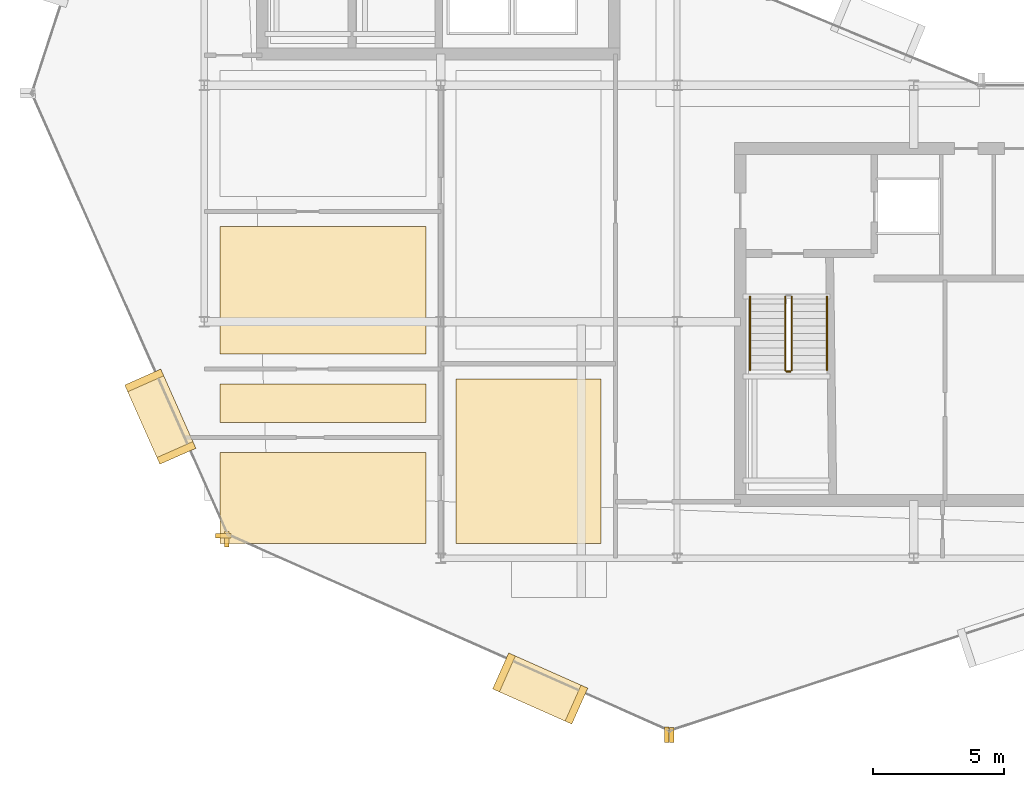
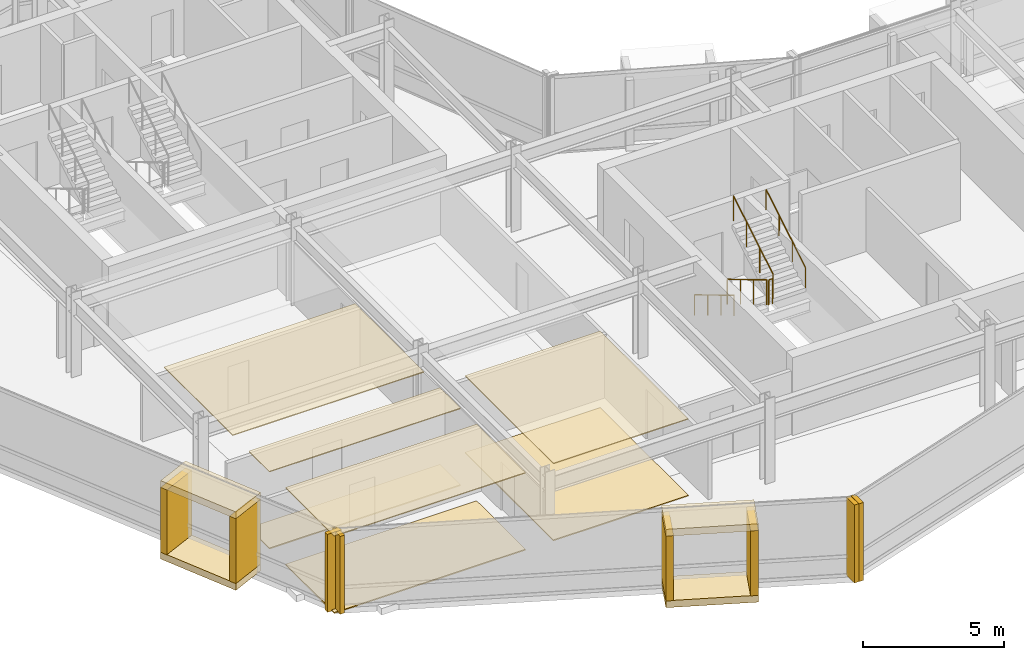
# One storey, part 22 of 27: 19 coverings, 5 railings.
"""IFC4 building model written with IfcOpenShell, lengths in metres."""

from ifc_helpers import new_model, si_unit, direction, frame, origin, origin_2d, place, context, subcontext, project, spatial, polyline, rectangle, circle, outline, extrude, material, layer, layer_set, type_object, element, save


model = new_model("IFC4")

# Units and contexts
model_context = context("Model", 3, precision=1e-05, world=origin(), true_north=direction((0.0, 1.0)))
body_context = subcontext(model_context, "Body", "Model", "MODEL_VIEW")
ifc_project = project(units=[si_unit("LENGTHUNIT", "METRE"), si_unit("AREAUNIT", "SQUARE_METRE"), si_unit("VOLUMEUNIT", "CUBIC_METRE"), si_unit("PLANEANGLEUNIT", "RADIAN"), si_unit("MASSUNIT", "GRAM", prefix="KILO")], contexts=[model_context])

# Site, building, storey
site_placement = place(None, origin())
site = spatial("IfcSite", under=ifc_project, at=site_placement, CompositionType="ELEMENT")
building_placement = place(site_placement, origin())
building = spatial("IfcBuilding", under=site, at=building_placement, Name="Solvaryn Broadcast Tower", CompositionType="ELEMENT")
storey_placement = place(building_placement, frame((0.0, 0.0, 232.10009765625)))
storey = spatial("IfcBuildingStorey", under=building, at=storey_placement, Name="L58", CompositionType="ELEMENT", Elevation=232.10009765625)

# Coverings
ifc_material_1 = material(Name="Micro-Perforated Acoustic Gypsum Ceiling", Category="concrete")
ifc_layer_1 = layer(ifc_material_1, 0.0400390625)
ifc_layer_set_1 = layer_set([ifc_layer_1], Name="CV-CEIL-ACOUSTIC")
covering_type_1 = type_object("IfcCoveringType", Name="CV-CEIL-ACOUSTIC", PredefinedType="CEILING", material=ifc_layer_set_1)
covering_1_placement = place(storey_placement, frame((0.0, 0.0, 3.329833984375)))
element("IfcCovering", 1, at=covering_1_placement, inside=storey, type_object=covering_type_1, Name="L58 Room Acoustic Ceiling 1", PredefinedType="CEILING", context=body_context, shape_type="SweptSolid", body=[
    extrude(outline(polyline([(18.570068359375, 9.570068359375), (24.10009765625, 9.570068359375), (24.10009765625, 15.830078125), (18.570068359375, 15.830078125), (18.570068359375, 9.570068359375)])), origin(), (0.0, 0.0, 1.0), 0.0400390625),
])
covering_2_placement = place(storey_placement, frame((0.0, 0.0, 3.329833984375)))
element("IfcCovering", 2, at=covering_2_placement, inside=storey, type_object=covering_type_1, Name="L58 Room Acoustic Ceiling 3", PredefinedType="CEILING", context=body_context, shape_type="SweptSolid", body=[
    extrude(outline(polyline([(9.60009765625, 9.570068359375), (17.429931640625, 9.570068359375), (17.429931640625, 13.030029296875), (9.60009765625, 13.030029296875), (9.60009765625, 9.570068359375)])), origin(), (0.0, 0.0, 1.0), 0.0400390625),
])
covering_3_placement = place(storey_placement, frame((0.0, 0.0, 3.329833984375)))
element("IfcCovering", 3, at=covering_3_placement, inside=storey, type_object=covering_type_1, Name="L58 Room Acoustic Ceiling 4", PredefinedType="CEILING", context=body_context, shape_type="SweptSolid", body=[
    extrude(outline(polyline([(9.60009765625, 14.169921875), (17.429931640625, 14.169921875), (17.429931640625, 15.6298828125), (9.60009765625, 15.6298828125), (9.60009765625, 14.169921875)])), origin(), (0.0, 0.0, 1.0), 0.0400390625),
])
covering_4_placement = place(storey_placement, frame((0.0, 0.0, 3.329833984375)))
element("IfcCovering", 4, at=covering_4_placement, inside=storey, type_object=covering_type_1, Name="L58 Room Acoustic Ceiling 5", PredefinedType="CEILING", context=body_context, shape_type="SweptSolid", body=[
    extrude(outline(polyline([(9.60009765625, 16.77001953125), (17.429931640625, 16.77001953125), (17.429931640625, 21.6298828125), (9.60009765625, 21.6298828125), (9.60009765625, 16.77001953125)])), origin(), (0.0, 0.0, 1.0), 0.0400390625),
])
ifc_material_2 = material(Name="Newsroom Raised Data Access Flooring", Category="steel")
ifc_layer_2 = layer(ifc_material_2, 0.050048828125)
ifc_layer_set_2 = layer_set([ifc_layer_2], Name="CV-FLOOR-RAISED")
covering_type_2 = type_object("IfcCoveringType", Name="CV-FLOOR-RAISED", PredefinedType="FLOORING", material=ifc_layer_set_2)
covering_5_placement = place(storey_placement, origin())
element("IfcCovering", 5, at=covering_5_placement, inside=storey, type_object=covering_type_2, Name="L58 Room Acoustic Floor Finish 1", PredefinedType="FLOORING", context=body_context, shape_type="SweptSolid", body=[
    extrude(outline(polyline([(18.570068359375, 9.570068359375), (24.10009765625, 9.570068359375), (24.10009765625, 15.830078125), (18.570068359375, 15.830078125), (18.570068359375, 9.570068359375)])), origin(), (0.0, 0.0, 1.0), 0.0498046875),
])
covering_6_placement = place(storey_placement, origin())
element("IfcCovering", 6, at=covering_6_placement, inside=storey, type_object=covering_type_2, Name="L58 Room Acoustic Floor Finish 3", PredefinedType="FLOORING", context=body_context, shape_type="SweptSolid", body=[
    extrude(outline(polyline([(9.60009765625, 9.570068359375), (17.429931640625, 9.570068359375), (17.429931640625, 13.030029296875), (9.60009765625, 13.030029296875), (9.60009765625, 9.570068359375)])), origin(), (0.0, 0.0, 1.0), 0.0498046875),
])
covering_7_placement = place(storey_placement, origin())
element("IfcCovering", 7, at=covering_7_placement, inside=storey, type_object=covering_type_2, Name="L58 Room Acoustic Floor Finish 4", PredefinedType="FLOORING", context=body_context, shape_type="SweptSolid", body=[
    extrude(outline(polyline([(9.60009765625, 14.169921875), (17.429931640625, 14.169921875), (17.429931640625, 15.6298828125), (9.60009765625, 15.6298828125), (9.60009765625, 14.169921875)])), origin(), (0.0, 0.0, 1.0), 0.0498046875),
])
ifc_material_3 = material(Name="Glazed Architectural Terracotta Rainscreen Cladding", Category="masonry")
ifc_layer_3 = layer(ifc_material_3, 0.280029296875)
ifc_layer_set_3 = layer_set([ifc_layer_3], Name="CV-TC-CLAD")
covering_type_3 = type_object("IfcCoveringType", Name="CV-TC-CLAD", PredefinedType="CLADDING", material=ifc_layer_set_3)
for number, where, z_axis, x_axis, name in (
    (8, (7.322998046875, 14.388916015625, 3.080078125), (0.0, 0.0, 1.0), (0.405939269498, -0.913900054426, 0.0), "L58 Projecting Stone Window Box Hood 2"),
    (9, (7.322998046875, 14.388916015625, -0.01025390625), (0.0, 0.0, 1.0), (0.405939269498, -0.913900054426, 0.0), "L58 Projecting Stone Window Box Sill 2"),
):
    element("IfcCovering", number, at=place(storey_placement, frame(where, z_axis=z_axis, x_axis=x_axis)), inside=storey, type_object=covering_type_3, Name=name, PredefinedType="CLADDING", context=body_context, shape_type="SweptSolid", body=[
        extrude(rectangle(XDim=3.300048828125, YDim=1.5, at=origin_2d()), origin(), (0.0, 0.0, 1.0), 0.300048828125),
    ])
for number, where, z_axis, x_axis, name in (
    (10, (6.7099609375, 15.76904296875, 0.27978515625), (0.0, 0.0, 1.0), (0.405939269498, -0.913900054426, 0.0), "L58 Projecting Stone Window Box Cheek 2-1"),
    (11, (7.93603515625, 13.009033203125, 0.27978515625), (0.0, 0.0, 1.0), (0.405939269498, -0.913900054426, 0.0), "L58 Projecting Stone Window Box Cheek 2-2"),
):
    element("IfcCovering", number, at=place(storey_placement, frame(where, z_axis=z_axis, x_axis=x_axis)), inside=storey, type_object=covering_type_3, Name=name, PredefinedType="CLADDING", context=body_context, shape_type="SweptSolid", body=[
        extrude(rectangle(XDim=0.280029296875, YDim=1.5, at=origin_2d()), origin(), (0.0, 0.0, 1.0), 2.81005859375),
    ])
for number, where, z_axis, x_axis, name in (
    (12, (21.784912109375, 4.0390625, 3.080078125), (0.0, 0.0, 1.0), (0.913900054426, -0.405939269498, 0.0), "L58 Projecting Stone Window Box Hood 3"),
    (13, (21.784912109375, 4.0390625, -0.01025390625), (0.0, 0.0, 1.0), (0.913900054426, -0.405939269498, 0.0), "L58 Projecting Stone Window Box Sill 3"),
):
    element("IfcCovering", number, at=place(storey_placement, frame(where, z_axis=z_axis, x_axis=x_axis)), inside=storey, type_object=covering_type_3, Name=name, PredefinedType="CLADDING", context=body_context, shape_type="SweptSolid", body=[
        extrude(rectangle(XDim=3.300048828125, YDim=1.5, at=origin_2d()), origin(), (0.0, 0.0, 1.0), 0.300048828125),
    ])
for number, where, z_axis, x_axis, name in (
    (14, (20.405029296875, 4.652099609375, 0.27978515625), (0.0, 0.0, 1.0), (0.913900054426, -0.405939269498, 0.0), "L58 Projecting Stone Window Box Cheek 3-1"),
    (15, (23.1650390625, 3.426025390625, 0.27978515625), (0.0, 0.0, 1.0), (0.913900054426, -0.405939269498, 0.0), "L58 Projecting Stone Window Box Cheek 3-2"),
):
    element("IfcCovering", number, at=place(storey_placement, frame(where, z_axis=z_axis, x_axis=x_axis)), inside=storey, type_object=covering_type_3, Name=name, PredefinedType="CLADDING", context=body_context, shape_type="SweptSolid", body=[
        extrude(rectangle(XDim=0.280029296875, YDim=1.5, at=origin_2d()), origin(), (0.0, 0.0, 1.0), 2.81005859375),
    ])
ifc_material_4 = material(Name="Extruded Architectural Terracotta Fin", Category="masonry")
ifc_layer_4 = layer(ifc_material_4, 0.179931640625)
ifc_layer_set_4 = layer_set([ifc_layer_4], Name="CV-TC-FIN")
covering_type_4 = type_object("IfcCoveringType", Name="CV-TC-FIN", PredefinedType="USERDEFINED", material=ifc_layer_set_4)
covering_8_placement = place(storey_placement, frame((9.7216796875, 9.852783203125, -0.000244140625), z_axis=(0.0, 0.0, 1.0), x_axis=(1.0, 0.0, 0.0)))
element("IfcCovering", 16, at=covering_8_placement, inside=storey, type_object=covering_type_4, Name="L58 Terracotta Vertical Fin FIN-L58-DR2-M01", ObjectType="FIN", PredefinedType="USERDEFINED", context=body_context, shape_type="SweptSolid", body=[
    extrude(rectangle(XDim=0.580078125, YDim=0.179931640625, at=origin_2d()), origin(), (0.0, 0.0, 1.0), 3.3701171875),
])
for number, where, z_axis, x_axis, name in (
    (17, (9.852783203125, 9.7216796875, -0.000244140625), (0.0, 0.0, 1.0), (1.0, 0.0, 0.0), "L58 Terracotta Vertical Fin FIN-L58-DR3-M00"),
    (18, (26.605712890625, 2.281005859375, -0.000244140625), (0.0, 0.0, 1.0), (1.0, 0.0, 0.0), "L58 Terracotta Vertical Fin FIN-L58-DR3-M01"),
    (19, (26.790771484375, 2.271240234375, -0.000244140625), (0.0, 0.0, 1.0), (1.0, 0.0, 0.0), "L58 Terracotta Vertical Fin FIN-L58-DR4-M00"),
):
    element("IfcCovering", number, at=place(storey_placement, frame(where, z_axis=z_axis, x_axis=x_axis)), inside=storey, type_object=covering_type_4, Name=name, ObjectType="FIN", PredefinedType="USERDEFINED", context=body_context, shape_type="SweptSolid", body=[
        extrude(rectangle(XDim=0.179931640625, YDim=0.580078125, at=origin_2d()), origin(), (0.0, 0.0, 1.0), 3.3701171875),
    ])

# Railings
ifc_material_5 = material(Name="Painted Steel Stair Well Guard", Category="steel")
railing_type_1 = type_object("IfcRailingType", Name="RL-STAIR-GUARD", PredefinedType="BALUSTRADE", material=ifc_material_5)
railing_1_placement = place(storey_placement, frame((31.110107421875, 18.9599609375, 0.16796875)))
element("IfcRailing", 20, at=railing_1_placement, inside=storey, type_object=railing_type_1, Name="L58 ST3 stair guard 1", PredefinedType="BALUSTRADE", context=body_context, shape_type="SweptSolid", body=[
    extrude(circle(Radius=0.02392578125, at=origin_2d()), frame((0.0, 0.0, 1.076171875), z_axis=(0.0, -0.857242210791, 0.514913383045), x_axis=(1.0, 0.0, 0.0)), (0.0, 0.0, 1.0), 3.266357421875),
    extrude(circle(Radius=0.02099609375, at=origin_2d()), origin(), (0.0, 0.0, 1.0), 1.052001953125),
    extrude(circle(Radius=0.02099609375, at=origin_2d()), frame((0.0, -0.933349609375, 0.560546875)), (0.0, 0.0, 1.0), 1.052001953125),
    extrude(circle(Radius=0.02099609375, at=origin_2d()), frame((0.0, -1.86669921875, 1.121337890625)), (0.0, 0.0, 1.0), 1.052001953125),
    extrude(circle(Radius=0.02099609375, at=origin_2d()), frame((0.0, -2.800048828125, 1.681884765625)), (0.0, 0.0, 1.0), 1.052001953125),
])
railing_2_placement = place(storey_placement, frame((31.159912109375, 16.110107421875, 1.849853515625)))
element("IfcRailing", 21, at=railing_2_placement, inside=storey, type_object=railing_type_1, Name="L58 ST3 stair guard 2", PredefinedType="BALUSTRADE", context=body_context, shape_type="SweptSolid", body=[
    extrude(circle(Radius=0.02392578125, at=origin_2d()), frame((0.0, 0.0, 1.076171875), z_axis=(1.0, 0.0, 0.0), x_axis=(0.0, 1.0, 0.0)), (0.0, 0.0, 1.0), 0.150146484375),
    extrude(circle(Radius=0.02099609375, at=origin_2d()), origin(), (0.0, 0.0, 1.0), 1.052001953125),
    extrude(circle(Radius=0.02099609375, at=origin_2d()), frame((0.150146484375, 0.0, 0.0)), (0.0, 0.0, 1.0), 1.052001953125),
])
railing_3_placement = place(storey_placement, frame((31.360107421875, 16.159912109375, 2.01806640625)))
element("IfcRailing", 22, at=railing_3_placement, inside=storey, type_object=railing_type_1, Name="L58 ST3 stair guard 3", PredefinedType="BALUSTRADE", context=body_context, shape_type="SweptSolid", body=[
    extrude(circle(Radius=0.02392578125, at=origin_2d()), frame((0.0, 0.0, 1.076171875), z_axis=(0.0, 0.857242210791, 0.514913383045), x_axis=(-1.0, 0.0, 0.0)), (0.0, 0.0, 1.0), 3.266357421875),
    extrude(circle(Radius=0.02099609375, at=origin_2d()), origin(), (0.0, 0.0, 1.0), 1.052001953125),
    extrude(circle(Radius=0.02099609375, at=origin_2d()), frame((0.0, 0.933349609375, 0.560546875)), (0.0, 0.0, 1.0), 1.052001953125),
    extrude(circle(Radius=0.02099609375, at=origin_2d()), frame((0.0, 1.86669921875, 1.121337890625)), (0.0, 0.0, 1.0), 1.052001953125),
    extrude(circle(Radius=0.02099609375, at=origin_2d()), frame((0.0, 2.800048828125, 1.681884765625)), (0.0, 0.0, 1.0), 1.052001953125),
])
ifc_material_6 = material(Name="Brushed Stainless Steel Tubular Handrail", Category="steel")
railing_type_2 = type_object("IfcRailingType", Name="RL-STAIR-HANDRAIL", PredefinedType="HANDRAIL", material=ifc_material_6)
railing_4_placement = place(storey_placement, frame((29.77001953125, 18.9599609375, 0.16796875)))
element("IfcRailing", 23, at=railing_4_placement, inside=storey, type_object=railing_type_2, Name="L58 ST3 stair handrail 1", PredefinedType="HANDRAIL", context=body_context, shape_type="SweptSolid", body=[
    extrude(circle(Radius=0.02392578125, at=origin_2d()), frame((0.0, 0.0, 0.8759765625), z_axis=(0.0, -0.857242210791, 0.514913383045), x_axis=(1.0, 0.0, 0.0)), (0.0, 0.0, 1.0), 3.266357421875),
    extrude(circle(Radius=0.02099609375, at=origin_2d()), origin(), (0.0, 0.0, 1.0), 0.851806640625),
    extrude(circle(Radius=0.02099609375, at=origin_2d()), frame((0.0, -0.933349609375, 0.560546875)), (0.0, 0.0, 1.0), 0.851806640625),
    extrude(circle(Radius=0.02099609375, at=origin_2d()), frame((0.0, -1.86669921875, 1.121337890625)), (0.0, 0.0, 1.0), 0.851806640625),
    extrude(circle(Radius=0.02099609375, at=origin_2d()), frame((0.0, -2.800048828125, 1.681884765625)), (0.0, 0.0, 1.0), 0.851806640625),
])
railing_5_placement = place(storey_placement, frame((32.699951171875, 16.159912109375, 2.01806640625)))
element("IfcRailing", 24, at=railing_5_placement, inside=storey, type_object=railing_type_2, Name="L58 ST3 stair handrail 2", PredefinedType="HANDRAIL", context=body_context, shape_type="SweptSolid", body=[
    extrude(circle(Radius=0.02392578125, at=origin_2d()), frame((0.0, 0.0, 0.8759765625), z_axis=(0.0, 0.857242210791, 0.514913383045), x_axis=(-1.0, 0.0, 0.0)), (0.0, 0.0, 1.0), 3.266357421875),
    extrude(circle(Radius=0.02099609375, at=origin_2d()), origin(), (0.0, 0.0, 1.0), 0.851806640625),
    extrude(circle(Radius=0.02099609375, at=origin_2d()), frame((0.0, 0.933349609375, 0.560546875)), (0.0, 0.0, 1.0), 0.851806640625),
    extrude(circle(Radius=0.02099609375, at=origin_2d()), frame((0.0, 1.86669921875, 1.121337890625)), (0.0, 0.0, 1.0), 0.851806640625),
    extrude(circle(Radius=0.02099609375, at=origin_2d()), frame((0.0, 2.800048828125, 1.681884765625)), (0.0, 0.0, 1.0), 0.851806640625),
])

save(model, "model.ifc")
